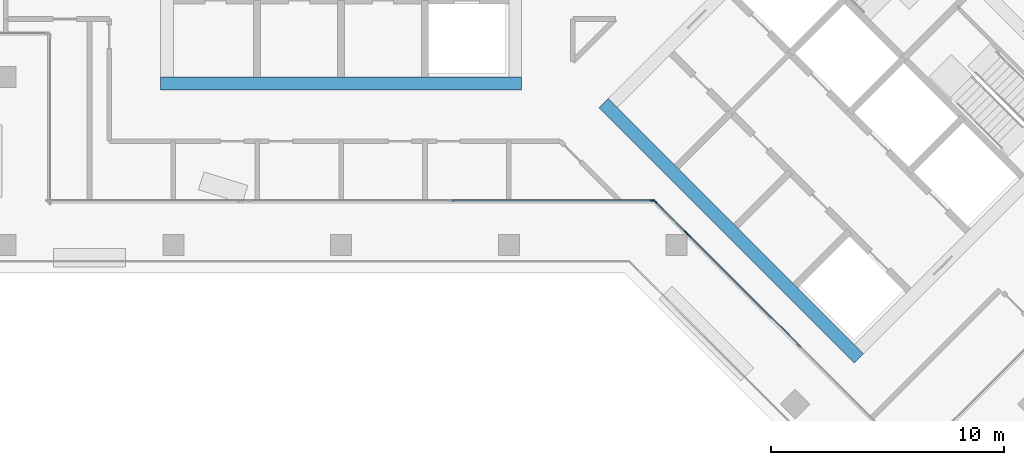
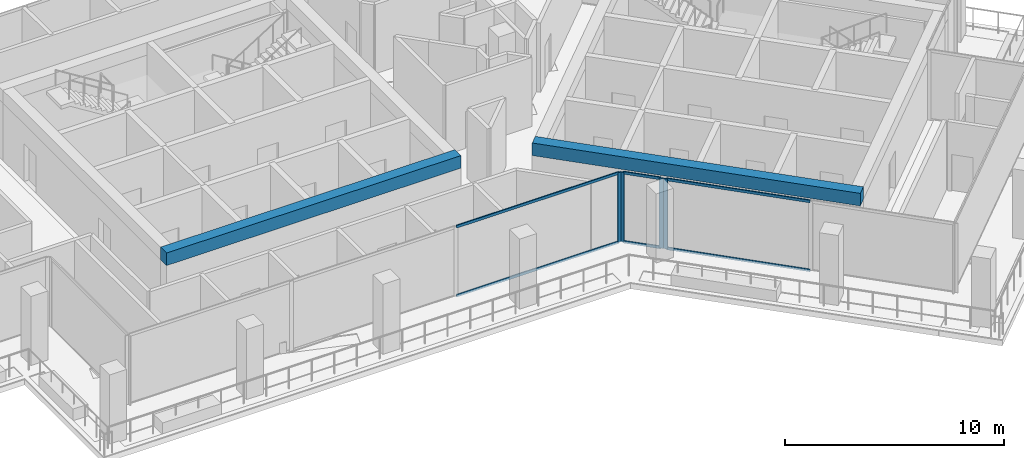
# One storey, part 3 of 19: 10 members, 2 beams, 3 elements without a shape of their own.
"""IFC4 building model written with IfcOpenShell, lengths in metres."""

from ifc_helpers import new_model, si_unit, direction, frame, origin, origin_2d, place, context, subcontext, project, spatial, rectangle, extrude, material, material_profile, profile_set, type_object, element, aggregate, save


model = new_model("IFC4")

# Units and contexts
model_context = context("Model", 3, precision=1e-05, world=origin(), true_north=direction((0.0, 1.0)))
body_context = subcontext(model_context, "Body", "Model", "MODEL_VIEW")
ifc_project = project(units=[si_unit("LENGTHUNIT", "METRE"), si_unit("AREAUNIT", "SQUARE_METRE"), si_unit("VOLUMEUNIT", "CUBIC_METRE"), si_unit("PLANEANGLEUNIT", "RADIAN"), si_unit("MASSUNIT", "GRAM", prefix="KILO")], contexts=[model_context])

# Site, building, storey
site_placement = place(None, origin())
site = spatial("IfcSite", under=ifc_project, at=site_placement, CompositionType="ELEMENT")
building_placement = place(site_placement, origin())
building = spatial("IfcBuilding", under=site, at=building_placement, Name="Windrow Commons", CompositionType="ELEMENT")
storey_placement = place(building_placement, frame((0.0, 0.0, 185.4)))
storey = spatial("IfcBuildingStorey", under=building, at=storey_placement, Name="L50", CompositionType="ELEMENT", Elevation=185.4)

# Curtain wall, member
ifc_material_1 = material(Name="Clear laminated glass in Aluminium 6063-T6 anodised frame", Category="aluminium")
curtain_wall_type = type_object("IfcCurtainWallType", Name="Curtain wall CW2H sky lounge upper", PredefinedType="USERDEFINED", material=ifc_material_1)
placement = place(storey_placement, origin())
curtain_wall_1 = element("IfcCurtainWall", 1, at=placement, inside=storey, type_object=curtain_wall_type, Name="Curtain wall CW2H L50 12", ObjectType="UNITISED", PredefinedType="USERDEFINED")
ifc_material_2 = material(Name="Aluminium 6063-T6", Category="aluminium")
ifc_material_profile_1 = material_profile(ifc_material_2, rectangle(XDim=0.06, YDim=0.2, at=origin_2d()))
ifc_profile_set_1 = profile_set([ifc_material_profile_1], Name="Aluminium 6063-T6")
member_type_1 = type_object("IfcMemberType", Name="CW2H mullion 60x200", PredefinedType="MULLION", material=ifc_profile_set_1)
member_1_placement = place(storey_placement, frame((78.1686, 45.1, 0.0), z_axis=(0.0, 0.0, 1.0), x_axis=(0.0, 1.0, 0.0)))
member_1 = element("IfcMember", 2, at=member_1_placement, type_object=member_type_1, Name="CW2H mullion 4", PredefinedType="MULLION", context=body_context, shape_type="SweptSolid", body=[
    extrude(rectangle(XDim=0.06, YDim=0.2, at=origin_2d()), origin(), (0.0, 0.0, 1.0), 3.9),
])

# Curtain wall, members
curtain_wall_2 = element("IfcCurtainWall", 3, at=placement, inside=storey, type_object=curtain_wall_type, Name="Curtain wall CW2H L50 13", ObjectType="UNITISED", PredefinedType="USERDEFINED")
member_2_placement = place(storey_placement, frame((78.2905, 45.0495, 0.0), z_axis=(0.0, 0.0, 1.0), x_axis=(0.7071099424, 0.70710362, 0.0)))
member_2 = element("IfcMember", 4, at=member_2_placement, type_object=member_type_1, Name="CW2H mullion 1", PredefinedType="MULLION", context=body_context, shape_type="SweptSolid", body=[
    extrude(rectangle(XDim=0.06, YDim=0.2, at=origin_2d()), origin(), (0.0, 0.0, 1.0), 3.9),
])
member_3_placement = place(storey_placement, frame((79.5967, 43.7433, 0.0), z_axis=(0.0, 0.0, 1.0), x_axis=(0.7071099424, 0.70710362, 0.0)))
member_3 = element("IfcMember", 5, at=member_3_placement, type_object=member_type_1, Name="CW2H mullion 2", PredefinedType="MULLION", context=body_context, shape_type="SweptSolid", body=[
    extrude(rectangle(XDim=0.06, YDim=0.2, at=origin_2d()), origin(), (0.0, 0.0, 1.0), 3.9),
])

# Curtain wall, member
curtain_wall_3 = element("IfcCurtainWall", 6, at=placement, inside=storey, type_object=curtain_wall_type, Name="Curtain wall CW2H L50 13.2", ObjectType="UNITISED", PredefinedType="USERDEFINED")
member_4_placement = place(storey_placement, frame((79.7433, 43.5967, 0.0), z_axis=(0.0, 0.0, 1.0), x_axis=(0.7071099425, 0.7071036198, 0.0)))
member_4 = element("IfcMember", 7, at=member_4_placement, type_object=member_type_1, Name="CW2H mullion 1", PredefinedType="MULLION", context=body_context, shape_type="SweptSolid", body=[
    extrude(rectangle(XDim=0.06, YDim=0.2, at=origin_2d()), origin(), (0.0, 0.0, 1.0), 3.9),
])

# Member
ifc_material_3 = material(Name="Aluminium 6063-T6", Category="aluminium")
ifc_material_profile_2 = material_profile(ifc_material_3, rectangle(XDim=0.06, YDim=0.15, at=origin_2d()))
ifc_profile_set_2 = profile_set([ifc_material_profile_2], Name="Aluminium 6063-T6")
member_type_2 = type_object("IfcMemberType", Name="CW2H transom 60x150", PredefinedType="USERDEFINED", material=ifc_profile_set_2)
member_5_placement = place(storey_placement, frame((69.5624, 45.1, 0.03), z_axis=(1.0, 0.0, 0.0), x_axis=(0.0, 1.0, 0.0)))
member_5 = element("IfcMember", 8, at=member_5_placement, type_object=member_type_2, Name="CW2H transom 3.1", ObjectType="TRANSOM", PredefinedType="USERDEFINED", context=body_context, shape_type="SweptSolid", body=[
    extrude(rectangle(XDim=0.06, YDim=0.15, at=origin_2d()), origin(), (0.0, 0.0, 1.0), 8.5762),
])

member_6_placement = place(storey_placement, frame((69.5624, 45.1, 3.87), z_axis=(1.0, 0.0, 0.0), x_axis=(0.0, 1.0, 0.0)))
member_6 = element("IfcMember", 9, at=member_6_placement, type_object=member_type_2, Name="CW2H transom 3.2", ObjectType="TRANSOM", PredefinedType="USERDEFINED", context=body_context, shape_type="SweptSolid", body=[
    extrude(rectangle(XDim=0.06, YDim=0.15, at=origin_2d()), origin(), (0.0, 0.0, 1.0), 8.5762),
])

aggregate(curtain_wall_1, [member_1, member_5, member_6])

member_7_placement = place(storey_placement, frame((78.3117, 45.0283, 0.03), z_axis=(0.7071347572, -0.7070788041, 0.0), x_axis=(0.7070788041, 0.7071347572, 0.0)))
member_7 = element("IfcMember", 10, at=member_7_placement, type_object=member_type_2, Name="CW2H transom 1.1", ObjectType="TRANSOM", PredefinedType="USERDEFINED", context=body_context, shape_type="SweptSolid", body=[
    extrude(rectangle(XDim=0.06, YDim=0.15, at=origin_2d()), origin(), (0.0, 0.0, 1.0), 1.7872),
])

member_8_placement = place(storey_placement, frame((78.3117, 45.0283, 3.87), z_axis=(0.7071347572, -0.7070788041, 0.0), x_axis=(0.7070788041, 0.7071347572, 0.0)))
member_8 = element("IfcMember", 11, at=member_8_placement, type_object=member_type_2, Name="CW2H transom 1.2", ObjectType="TRANSOM", PredefinedType="USERDEFINED", context=body_context, shape_type="SweptSolid", body=[
    extrude(rectangle(XDim=0.06, YDim=0.15, at=origin_2d()), origin(), (0.0, 0.0, 1.0), 1.7872),
])

aggregate(curtain_wall_2, [member_2, member_3, member_7, member_8])

member_9_placement = place(storey_placement, frame((79.7646, 43.5755, 0.03), z_axis=(0.7070994183, -0.707114144, 0.0), x_axis=(0.707114144, 0.7070994183, 0.0)))
member_9 = element("IfcMember", 12, at=member_9_placement, type_object=member_type_2, Name="CW2H transom 1.1", ObjectType="TRANSOM", PredefinedType="USERDEFINED", context=body_context, shape_type="SweptSolid", body=[
    extrude(rectangle(XDim=0.06, YDim=0.15, at=origin_2d()), origin(), (0.0, 0.0, 1.0), 6.7908),
])

member_10_placement = place(storey_placement, frame((79.7646, 43.5755, 3.87), z_axis=(0.7070994183, -0.707114144, 0.0), x_axis=(0.707114144, 0.7070994183, 0.0)))
member_10 = element("IfcMember", 13, at=member_10_placement, type_object=member_type_2, Name="CW2H transom 1.2", ObjectType="TRANSOM", PredefinedType="USERDEFINED", context=body_context, shape_type="SweptSolid", body=[
    extrude(rectangle(XDim=0.06, YDim=0.15, at=origin_2d()), origin(), (0.0, 0.0, 1.0), 6.7908),
])

aggregate(curtain_wall_3, [member_4, member_9, member_10])

# Beams
ifc_material_4 = material(Name="Concrete C50/60", Category="concrete")
ifc_material_profile_3 = material_profile(ifc_material_4, rectangle(XDim=0.55, YDim=0.7, at=origin_2d()))
ifc_profile_set_3 = profile_set([ifc_material_profile_3], Name="Concrete C50/60")
beam_type = type_object("IfcBeamType", Name="RC COUPLING BEAM 550x700 C50/60", PredefinedType="LINTEL", material=ifc_profile_set_3)
for number, where, z_axis, x_axis, name in (
    (14, (57.05, 50.125, 3.55), (1.0, 0.0, 0.0), (0.0, 1.0, 0.0), "Core A coupling beam outer-S"),
    (15, (76.0711, 49.2842, 3.55), (0.7071035554, -0.707110007, 0.0), (0.707110007, 0.7071035554, 0.0), "Core B coupling beam outer-S"),
):
    element("IfcBeam", number, at=place(storey_placement, frame(where, z_axis=z_axis, x_axis=x_axis)), inside=storey, type_object=beam_type, Name=name, PredefinedType="LINTEL", context=body_context, shape_type="SweptSolid", body=[
        extrude(rectangle(XDim=0.55, YDim=0.7, at=origin_2d()), origin(), (0.0, 0.0, 1.0), 15.5),
    ])

save(model, "model.ifc")
